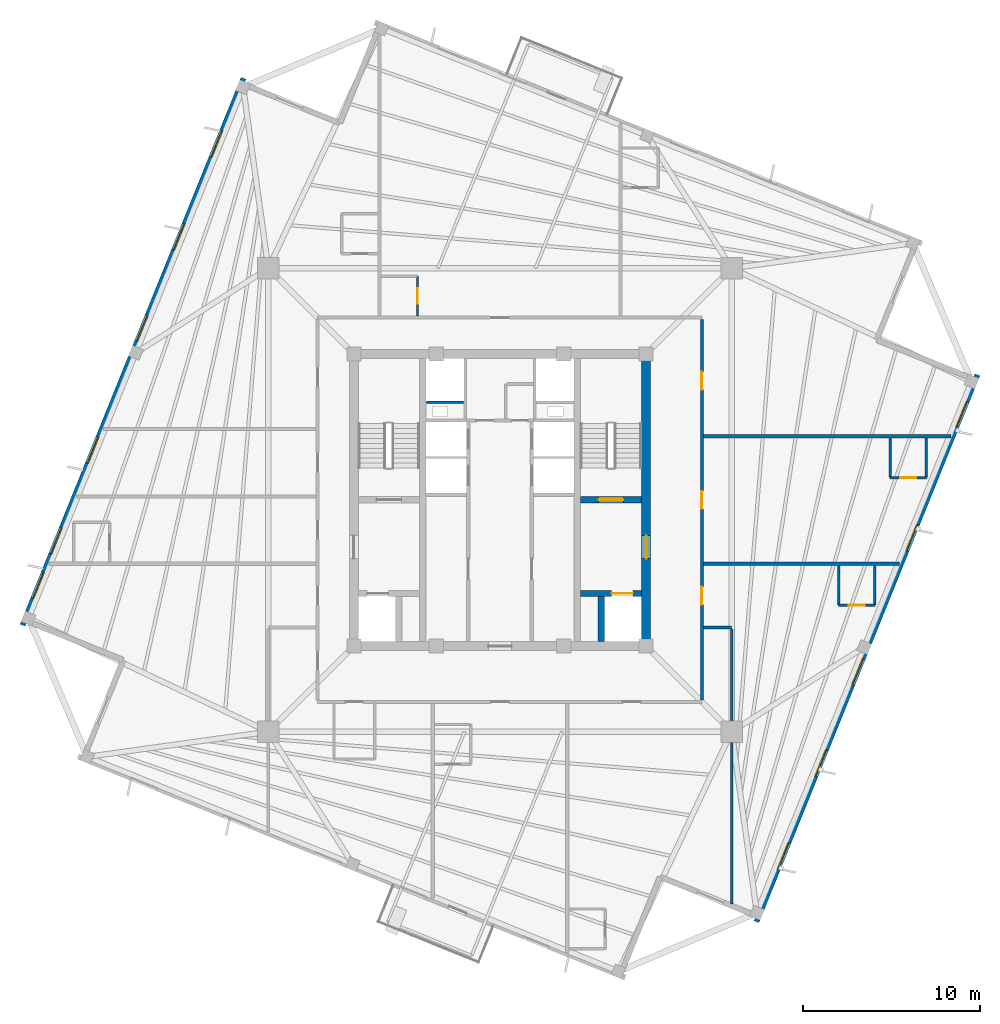
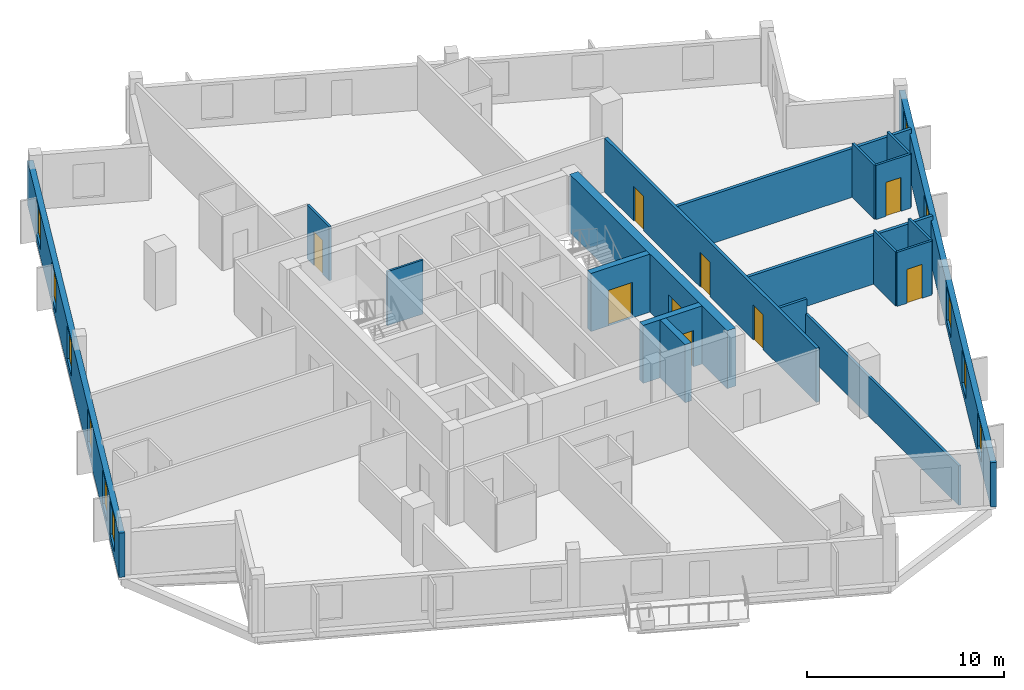
# One storey, part 4 of 8: 19 walls, 11 windows, 9 doors, 20 openings.
"""IFC4 building model written with IfcOpenShell, lengths in metres."""

from ifc_helpers import new_model, si_unit, direction, frame, frame_2d, origin, place, context, subcontext, project, spatial, rectangle, extrude, source, transform, mapped, material, layer, layer_set, type_object, element, fill, save


model = new_model("IFC4")

# Units and contexts
model_context = context("Model", 3, precision=1e-05, world=origin(), true_north=direction((0.0, 1.0)))
body_context = subcontext(model_context, "Body", "Model", "MODEL_VIEW")
ifc_project = project(units=[si_unit("LENGTHUNIT", "METRE"), si_unit("AREAUNIT", "SQUARE_METRE"), si_unit("VOLUMEUNIT", "CUBIC_METRE"), si_unit("PLANEANGLEUNIT", "RADIAN"), si_unit("MASSUNIT", "GRAM", prefix="KILO"), si_unit("THERMODYNAMICTEMPERATUREUNIT", "KELVIN")], contexts=[model_context])

# Site, building, storey
site_placement = place(None, origin())
site = spatial("IfcSite", under=ifc_project, at=site_placement, CompositionType="ELEMENT")
building_placement = place(site_placement, origin())
building = spatial("IfcBuilding", under=site, at=building_placement, Name="Kosmvard Interchange Tower", CompositionType="ELEMENT")
storey_placement = place(building_placement, frame((0.0, 0.0, 265.199951171875)))
storey = spatial("IfcBuildingStorey", under=building, at=storey_placement, Name="L64", CompositionType="ELEMENT", Elevation=265.199951171875)

# Walls
ifc_material_1 = material(Name="Acoustic gypsum partition system")
ifc_layer_1 = layer(ifc_material_1, 0.14990234375, Name="Acoustic gypsum partition system")
ifc_layer_set_1 = layer_set([ifc_layer_1], Name="Acoustic gypsum partition system")
wall_type_1 = type_object("IfcWallType", Name="Acoustic Suite & Meeting Partition 150", PredefinedType="PARTITIONING", material=ifc_layer_set_1)
wall_1_placement = place(storey_placement, frame((11.4951171875, -7.199951171875, 0.0), z_axis=(0.0, 0.0, 1.0), x_axis=(1.0, 0.0, 0.0)))
element("IfcWall", 1, at=wall_1_placement, inside=storey, type_object=wall_type_1, Name="L64 Room Partition 10.1", PredefinedType="PARTITIONING", context=body_context, shape_type="SweptSolid", body=[
    extrude(rectangle(XDim=1.5859375, YDim=0.14990234375, at=frame_2d((0.79296875, 0.0))), origin(), (0.0, 0.0, 1.0), 3.35009765625),
])
wall_2_placement = place(storey_placement, frame((13.0810546875, -7.27490234375, 0.0), z_axis=(0.0, 0.0, 1.0), x_axis=(0.0, -1.0, 0.0)))
element("IfcWall", 2, at=wall_2_placement, inside=storey, type_object=wall_type_1, Name="L64 Room Partition 11.1", PredefinedType="PARTITIONING", context=body_context, shape_type="SweptSolid", body=[
    extrude(rectangle(XDim=15.541748046875, YDim=0.14990234375, at=frame_2d((7.77099609375, 0.0))), origin(), (0.0, 0.0, 1.0), 2.449951171875),
])

# Wall, openings, doors
ifc_material_2 = material(Name="Fire-rated gypsum partition system")
ifc_layer_2 = layer(ifc_material_2, 0.179931640625, Name="Fire-rated gypsum partition system")
ifc_layer_set_2 = layer_set([ifc_layer_2], Name="Fire-rated gypsum partition system")
wall_type_2 = type_object("IfcWallType", Name="Corridor & Hotel Compartment Partition 180", PredefinedType="PARTITIONING", material=ifc_layer_set_2)
wall_3_placement = place(storey_placement, frame((11.39990234375, -11.300048828125, 0.0), z_axis=(0.0, 0.0, 1.0), x_axis=(0.0, 1.0, 0.0)))
wall_3 = element("IfcWall", 3, at=wall_3_placement, inside=storey, type_object=wall_type_2, Name="L64 Corridor Wall CE", PredefinedType="PARTITIONING", context=body_context, shape_type="SweptSolid", body=[
    extrude(rectangle(XDim=21.5, YDim=0.179931640625, at=frame_2d((10.75, 0.0))), origin(), (0.0, 0.0, 1.0), 3.35009765625),
])
opening_1_placement = place(wall_3_placement, frame((17.53564453125, 0.0, 0.0)))
opening_1 = element("IfcOpeningElement", 4, at=opening_1_placement, cuts=wall_3, Name="Opening L64-D07", PredefinedType="OPENING", context=body_context, shape_type="SweptSolid", body=[
    extrude(rectangle(XDim=1.0, YDim=2.14990234375, at=frame_2d((0.5, 1.074951171875))), frame((0.0, 0.10009765625, 0.0), z_axis=(0.0, -1.0, 0.0), x_axis=(1.0, 0.0, 0.0)), (0.0, 0.0, 1.0), 0.199951171875),
])
opening_2_placement = place(wall_3_placement, frame((10.800048828125, 0.0, 0.0)))
opening_2 = element("IfcOpeningElement", 5, at=opening_2_placement, cuts=wall_3, Name="Opening L64-D09", PredefinedType="OPENING", context=body_context, shape_type="SweptSolid", body=[
    extrude(rectangle(XDim=1.0, YDim=2.14990234375, at=frame_2d((0.5, 1.074951171875))), frame((0.0, 0.10009765625, 0.0), z_axis=(0.0, -1.0, 0.0), x_axis=(1.0, 0.0, 0.0)), (0.0, 0.0, 1.0), 0.199951171875),
])
opening_3_placement = place(wall_3_placement, frame((5.39990234375, 0.0, 0.0)))
opening_3 = element("IfcOpeningElement", 6, at=opening_3_placement, cuts=wall_3, Name="Opening L64-D11", PredefinedType="OPENING", context=body_context, shape_type="SweptSolid", body=[
    extrude(rectangle(XDim=1.0, YDim=2.14990234375, at=frame_2d((0.5, 1.074951171875))), frame((0.0, 0.10009765625, 0.0), z_axis=(0.0, -1.0, 0.0), x_axis=(1.0, 0.0, 0.0)), (0.0, 0.0, 1.0), 0.199951171875),
])
ifc_material_3 = material(Name="Engineered oak fire-rated timber", Category="wood")
door_type_1 = type_object("IfcDoorType", Name="Hotel Guestroom Entrance Door 1000x2150 EI60", OperationType="NOTDEFINED", PredefinedType="DOOR", material=ifc_material_3)
shared_shape_1 = source(origin(), body_context, "Body", "SweptSolid", [
    extrude(rectangle(XDim=1.0, YDim=2.14990234375, at=frame_2d((0.5, 1.074951171875))), frame((0.0, 0.02490234375, 0.0), z_axis=(0.0, -1.0, 0.0), x_axis=(1.0, 0.0, 0.0)), (0.0, 0.0, 1.0), 0.050048828125),
])
door_1_placement = place(opening_1_placement, frame((1.0, 0.0, 0.0), z_axis=(0.0, 0.0, 1.0), x_axis=(-1.0, 0.0, 0.0)))
door_1 = element("IfcDoor", 7, at=door_1_placement, inside=storey, type_object=door_type_1, Name="L64 Hotel Queen Junior Suite 2 Door", OperationType="SINGLE_SWING_LEFT", OverallHeight=2.14990234375, OverallWidth=1.0, PredefinedType="DOOR", context=body_context, shape_type="MappedRepresentation", body=[
    mapped(shared_shape_1, transform((0.0, 0.0, 0.0), scale=1.0)),
])
fill(opening_1, door_1)
door_2_placement = place(opening_2_placement, frame((1.0, 0.0, 0.0), z_axis=(0.0, 0.0, 1.0), x_axis=(-1.0, 0.0, 0.0)))
door_2 = element("IfcDoor", 8, at=door_2_placement, inside=storey, type_object=door_type_1, Name="L64 Hotel South-East Corner Suite 2 Door", OperationType="SINGLE_SWING_LEFT", OverallHeight=2.14990234375, OverallWidth=1.0, PredefinedType="DOOR", context=body_context, shape_type="MappedRepresentation", body=[
    mapped(shared_shape_1, transform((0.0, 0.0, 0.0), scale=1.0)),
])
fill(opening_2, door_2)
door_3_placement = place(opening_3_placement, frame((1.0, 0.0, 0.0), z_axis=(0.0, 0.0, 1.0), x_axis=(-1.0, 0.0, 0.0)))
door_3 = element("IfcDoor", 9, at=door_3_placement, inside=storey, type_object=door_type_1, Name="L64 Hotel Superior Junior Suite 3 Door", OperationType="SINGLE_SWING_LEFT", OverallHeight=2.14990234375, OverallWidth=1.0, PredefinedType="DOOR", context=body_context, shape_type="MappedRepresentation", body=[
    mapped(shared_shape_1, transform((0.0, 0.0, 0.0), scale=1.0)),
])
fill(opening_3, door_3)

# Walls
wall_4_placement = place(storey_placement, frame((11.4951171875, 3.60009765625, 0.0), z_axis=(0.0, 0.0, 1.0), x_axis=(1.0, 0.0, 0.0)))
element("IfcWall", 10, at=wall_4_placement, inside=storey, type_object=wall_type_2, Name="L64 Room Partition 03.1", PredefinedType="PARTITIONING", context=body_context, shape_type="SweptSolid", body=[
    extrude(rectangle(XDim=13.962158203125, YDim=0.179931640625, at=frame_2d((6.98095703125, 0.0))), origin(), (0.0, 0.0, 1.0), 3.02001953125),
])
wall_5_placement = place(storey_placement, frame((11.4951171875, -3.60009765625, 0.0), z_axis=(0.0, 0.0, 1.0), x_axis=(1.0, 0.0, 0.0)))
element("IfcWall", 11, at=wall_5_placement, inside=storey, type_object=wall_type_2, Name="L64 Room Partition 04.1", PredefinedType="PARTITIONING", context=body_context, shape_type="SweptSolid", body=[
    extrude(rectangle(XDim=11.05322265625, YDim=0.179931640625, at=frame_2d((5.526611328125, 0.0))), origin(), (0.0, 0.0, 1.0), 3.02001953125),
])
ifc_material_4 = material(Name="Fire-rated gypsum shaftwall system")
ifc_layer_3 = layer(ifc_material_4, 0.1201171875, Name="Fire-rated gypsum shaftwall system")
ifc_layer_set_3 = layer_set([ifc_layer_3], Name="Fire-rated gypsum shaftwall system")
wall_type_3 = type_object("IfcWallType", Name="Shaft & Riser Fire Partition 120 EI60", PredefinedType="PARTITIONING", material=ifc_layer_set_3)
wall_6_placement = place(storey_placement, frame((-4.159912109375, 5.52001953125, 0.0), z_axis=(0.0, 0.0, 1.0), x_axis=(1.0, 0.0, 0.0)))
element("IfcWall", 12, at=wall_6_placement, inside=storey, type_object=wall_type_3, Name="L64 Riser Shaft Divider W", PredefinedType="PARTITIONING", context=body_context, shape_type="SweptSolid", body=[
    extrude(rectangle(XDim=2.099853515625, YDim=0.1201171875, at=frame_2d((1.0498046875, 0.0))), origin(), (0.0, 0.0, 1.0), 3.35009765625),
])

# Wall, opening, door
ifc_material_5 = material(Name="Concrete C60/75", Category="concrete")
ifc_layer_4 = layer(ifc_material_5, 0.360107421875, Name="Concrete C60/75")
ifc_layer_set_4 = layer_set([ifc_layer_4], Name="Concrete C60/75")
wall_type_4 = type_object("IfcWallType", Name="Stair & Lift Shaft Shear Wall 360 C60/75", PredefinedType="SHEAR", material=ifc_layer_set_4)
wall_7_placement = place(storey_placement, frame((4.5400390625, 0.02001953125, 0.0), z_axis=(0.0, 0.0, 1.0), x_axis=(1.0, 0.0, 0.0)))
wall_7 = element("IfcWall", 13, at=wall_7_placement, inside=storey, type_object=wall_type_4, Name="L64 Shaft Shear Wall SW-ST2", PredefinedType="SHEAR", context=body_context, shape_type="SweptSolid", body=[
    extrude(rectangle(XDim=3.4599609375, YDim=0.360107421875, at=frame_2d((1.72998046875, 0.0))), origin(), (0.0, 0.0, 1.0), 3.60009765625),
])
opening_4_placement = place(wall_7_placement, frame((1.030029296875, 0.0, 0.0)))
opening_4 = element("IfcOpeningElement", 14, at=opening_4_placement, cuts=wall_7, Name="Opening L64-SD2", PredefinedType="OPENING", context=body_context, shape_type="SweptSolid", body=[
    extrude(rectangle(XDim=1.39990234375, YDim=2.199951171875, at=frame_2d((0.699951171875, 1.10009765625))), frame((0.0, 0.18994140625, 0.0), z_axis=(0.0, -1.0, 0.0), x_axis=(1.0, 0.0, 0.0)), (0.0, 0.0, 1.0), 0.380126953125),
])
ifc_material_6 = material(Name="Painted fire-rated steel leaf", Category="steel")
door_type_2 = type_object("IfcDoorType", Name="Protected Stair Door 1400x2200 FD60S", OperationType="NOTDEFINED", PredefinedType="DOOR", material=ifc_material_6)
shared_shape_2 = source(origin(), body_context, "Body", "SweptSolid", [
    extrude(rectangle(XDim=1.39990234375, YDim=2.199951171875, at=frame_2d((0.699951171875, 1.10009765625))), frame((0.0, 0.02490234375, 0.0), z_axis=(0.0, -1.0, 0.0), x_axis=(1.0, 0.0, 0.0)), (0.0, 0.0, 1.0), 0.050048828125),
])
door_4_placement = place(opening_4_placement, origin())
door_4 = element("IfcDoor", 15, at=door_4_placement, inside=storey, type_object=door_type_2, Name="L64 Stair ST-2 Enclosure Door", OperationType="SINGLE_SWING_RIGHT", OverallHeight=2.199951171875, OverallWidth=1.39990234375, PredefinedType="DOOR", context=body_context, shape_type="MappedRepresentation", body=[
    mapped(shared_shape_2, transform((0.0, 0.0, 0.0), scale=1.0)),
])
fill(opening_4, door_4)

wall_8_placement = place(storey_placement, frame((4.5400390625, -5.280029296875, 0.0), z_axis=(0.0, 0.0, 1.0), x_axis=(1.0, 0.0, 0.0)))
wall_8 = element("IfcWall", 16, at=wall_8_placement, inside=storey, type_object=wall_type_4, Name="L64 Shaft Shear Wall SW-FF2", PredefinedType="SHEAR", context=body_context, shape_type="SweptSolid", body=[
    extrude(rectangle(XDim=3.4599609375, YDim=0.360107421875, at=frame_2d((1.72998046875, 0.0))), origin(), (0.0, 0.0, 1.0), 3.60009765625),
])
opening_5_placement = place(wall_8_placement, frame((1.760009765625, 0.0, 0.0)))
opening_5 = element("IfcOpeningElement", 17, at=opening_5_placement, cuts=wall_8, Name="Opening LD-FF-2-L64", PredefinedType="OPENING", context=body_context, shape_type="SweptSolid", body=[
    extrude(rectangle(XDim=1.199951171875, YDim=2.25, at=frame_2d((0.60009765625, 1.125))), frame((0.0, 0.18994140625, 0.0), z_axis=(0.0, -1.0, 0.0), x_axis=(1.0, 0.0, 0.0)), (0.0, 0.0, 1.0), 0.380126953125),
])
ifc_material_7 = material(Name="Brushed stainless steel sliding leaf", Category="steel")
door_type_3 = type_object("IfcDoorType", Name="Firefighting Lift Sliding Landing Door 1200x2250 EI120", OperationType="DOUBLE_DOOR_SLIDING", PredefinedType="DOOR", material=ifc_material_7)
shared_shape_3 = source(origin(), body_context, "Body", "SweptSolid", [
    extrude(rectangle(XDim=1.199951171875, YDim=2.25, at=frame_2d((0.60009765625, 1.125))), frame((0.0, 0.02490234375, 0.0), z_axis=(0.0, -1.0, 0.0), x_axis=(1.0, 0.0, 0.0)), (0.0, 0.0, 1.0), 0.050048828125),
])
door_5_placement = place(opening_5_placement, origin())
door_5 = element("IfcDoor", 18, at=door_5_placement, inside=storey, type_object=door_type_3, Name="Lift FF-2 Landing Door L64", OperationType="DOUBLE_DOOR_SLIDING", OverallHeight=2.25, OverallWidth=1.199951171875, PredefinedType="DOOR", context=body_context, shape_type="MappedRepresentation", body=[
    mapped(shared_shape_3, transform((0.0, 0.0, 0.0), scale=1.0)),
])
fill(opening_5, door_5)

# Wall
wall_9_placement = place(storey_placement, frame((5.7099609375, -8.0, 0.0), z_axis=(0.0, 0.0, 1.0), x_axis=(0.0, 1.0, 0.0)))
element("IfcWall", 19, at=wall_9_placement, inside=storey, type_object=wall_type_4, Name="L64 Shaft Shear Wall SW-SM2", PredefinedType="SHEAR", context=body_context, shape_type="SweptSolid", body=[
    extrude(rectangle(XDim=2.5400390625, YDim=0.360107421875, at=frame_2d((1.27001953125, 0.0))), origin(), (0.0, 0.0, 1.0), 3.60009765625),
])

# Wall, opening, door
ifc_layer_5 = layer(ifc_material_5, 0.5, Name="Concrete C60/75")
ifc_layer_set_5 = layer_set([ifc_layer_5], Name="Concrete C60/75")
wall_type_5 = type_object("IfcWallType", Name="Upper Core Shear Wall 500 C60/75", PredefinedType="SHEAR", material=ifc_layer_set_5)
wall_10_placement = place(storey_placement, frame((8.25, -8.0, 0.0), z_axis=(0.0, 0.0, 1.0), x_axis=(0.0, 1.0, 0.0)))
wall_10 = element("IfcWall", 20, at=wall_10_placement, inside=storey, type_object=wall_type_5, Name="L64 Core Shear Wall CW-E", PredefinedType="SHEAR", context=body_context, shape_type="SweptSolid", body=[
    extrude(rectangle(XDim=16.0, YDim=0.5, at=frame_2d((8.0, 0.0))), origin(), (0.0, 0.0, 1.0), 3.60009765625),
])
opening_6_placement = place(wall_10_placement, frame((4.68994140625, 0.0, 0.0)))
opening_6 = element("IfcOpeningElement", 21, at=opening_6_placement, cuts=wall_10, Name="Opening L64-FD2", PredefinedType="OPENING", context=body_context, shape_type="SweptSolid", body=[
    extrude(rectangle(XDim=1.300048828125, YDim=2.199951171875, at=frame_2d((0.64990234375, 1.10009765625))), frame((0.0, 0.260009765625, 0.0), z_axis=(0.0, -1.0, 0.0), x_axis=(1.0, 0.0, 0.0)), (0.0, 0.0, 1.0), 0.52001953125),
])
door_type_4 = type_object("IfcDoorType", Name="Firefighting Lobby Door 1300x2200 EI60", OperationType="NOTDEFINED", PredefinedType="DOOR", material=ifc_material_6)
shared_shape_4 = source(origin(), body_context, "Body", "SweptSolid", [
    extrude(rectangle(XDim=1.300048828125, YDim=2.199951171875, at=frame_2d((0.64990234375, 1.10009765625))), frame((0.0, 0.02490234375, 0.0), z_axis=(0.0, -1.0, 0.0), x_axis=(1.0, 0.0, 0.0)), (0.0, 0.0, 1.0), 0.050048828125),
])
door_6_placement = place(opening_6_placement, origin())
door_6 = element("IfcDoor", 22, at=door_6_placement, inside=storey, type_object=door_type_4, Name="L64 Firefighting Lobby East Door", OperationType="SINGLE_SWING_RIGHT", OverallHeight=2.199951171875, OverallWidth=1.300048828125, PredefinedType="DOOR", context=body_context, shape_type="MappedRepresentation", body=[
    mapped(shared_shape_4, transform((0.0, 0.0, 0.0), scale=1.0)),
])
fill(opening_6, door_6)

# Wall, openings, windows
ifc_material_8 = material(Name="Precast concrete C45/55", Category="concrete")
ifc_layer_6 = layer(ifc_material_8, 0.31005859375, Name="Precast concrete C45/55")
ifc_layer_set_6 = layer_set([ifc_layer_6], Name="Precast concrete C45/55")
wall_type_6 = type_object("IfcWallType", Name="Upper Tower Precast Pier Wall 310 C45/55", PredefinedType="STANDARD", material=ifc_layer_set_6)
wall_11_placement = place(storey_placement, frame((14.478759765625, -23.812744140625, 0.0), z_axis=(0.0, 0.0, 1.0), x_axis=(0.374609557019, 0.927182657188, 0.0)))
wall_11 = element("IfcWall", 23, at=wall_11_placement, inside=storey, type_object=wall_type_6, Name="L64 Precast Facade Wall F-S", PredefinedType="STANDARD", context=body_context, shape_type="SweptSolid", body=[
    extrude(rectangle(XDim=33.31005859375, YDim=0.31005859375, at=frame_2d((16.655029296875, 0.0))), origin(), (0.0, 0.0, 1.0), 2.75),
])
opening_7_placement = place(wall_11_placement, frame((3.197265625, 0.0, 0.469970703125)))
opening_7 = element("IfcOpeningElement", 24, at=opening_7_placement, cuts=wall_11, Name="Opening L64-W01", PredefinedType="OPENING", context=body_context, shape_type="SweptSolid", body=[
    extrude(rectangle(XDim=1.60009765625, YDim=2.10009765625, at=frame_2d((0.800048828125, 1.050048828125))), frame((0.0, 0.1650390625, 0.0), z_axis=(0.0, -1.0, 0.0), x_axis=(1.0, 0.0, 0.0)), (0.0, 0.0, 1.0), 0.330078125),
])
opening_8_placement = place(wall_11_placement, frame((8.85986328125, 0.0, 0.469970703125)))
opening_8 = element("IfcOpeningElement", 25, at=opening_8_placement, cuts=wall_11, Name="Opening L64-W02", PredefinedType="OPENING", context=body_context, shape_type="SweptSolid", body=[
    extrude(rectangle(XDim=1.60009765625, YDim=2.10009765625, at=frame_2d((0.800048828125, 1.050048828125))), frame((0.0, 0.1650390625, 0.0), z_axis=(0.0, -1.0, 0.0), x_axis=(1.0, 0.0, 0.0)), (0.0, 0.0, 1.0), 0.330078125),
])
opening_9_placement = place(wall_11_placement, frame((14.438720703125, 0.0, 0.469970703125)))
opening_9 = element("IfcOpeningElement", 26, at=opening_9_placement, cuts=wall_11, Name="Opening L64-W03", PredefinedType="OPENING", context=body_context, shape_type="SweptSolid", body=[
    extrude(rectangle(XDim=1.60009765625, YDim=2.10009765625, at=frame_2d((0.800048828125, 1.050048828125))), frame((0.0, 0.1650390625, 0.0), z_axis=(0.0, -1.0, 0.0), x_axis=(1.0, 0.0, 0.0)), (0.0, 0.0, 1.0), 0.330078125),
])
opening_10_placement = place(wall_11_placement, frame((22.600830078125, 0.0, 0.469970703125)))
opening_10 = element("IfcOpeningElement", 27, at=opening_10_placement, cuts=wall_11, Name="Opening L64-W04", PredefinedType="OPENING", context=body_context, shape_type="SweptSolid", body=[
    extrude(rectangle(XDim=1.60009765625, YDim=2.10009765625, at=frame_2d((0.800048828125, 1.050048828125))), frame((0.0, 0.1650390625, 0.0), z_axis=(0.0, -1.0, 0.0), x_axis=(1.0, 0.0, 0.0)), (0.0, 0.0, 1.0), 0.330078125),
])
opening_11_placement = place(wall_11_placement, frame((30.0966796875, 0.0, 0.469970703125)))
opening_11 = element("IfcOpeningElement", 28, at=opening_11_placement, cuts=wall_11, Name="Opening L64-W05", PredefinedType="OPENING", context=body_context, shape_type="SweptSolid", body=[
    extrude(rectangle(XDim=1.60009765625, YDim=2.10009765625, at=frame_2d((0.800048828125, 1.050048828125))), frame((0.0, 0.1650390625, 0.0), z_axis=(0.0, -1.0, 0.0), x_axis=(1.0, 0.0, 0.0)), (0.0, 0.0, 1.0), 0.330078125),
])
ifc_material_9 = material(Name="Low-E acoustic double glazing", Category="glass")
window_type = type_object("IfcWindowType", Name="Zone 5 Hotel Punched Window 1600x2100", PartitioningType="SINGLE_PANEL", PredefinedType="WINDOW", material=ifc_material_9)
shared_shape_5 = source(origin(), body_context, "Body", "SweptSolid", [
    extrude(rectangle(XDim=1.60009765625, YDim=2.10009765625, at=frame_2d((0.800048828125, 1.050048828125))), frame((0.0, 0.030029296875, 0.0), z_axis=(0.0, -1.0, 0.0), x_axis=(1.0, 0.0, 0.0)), (0.0, 0.0, 1.0), 0.06005859375),
])
window_1_placement = place(opening_7_placement, origin())
window_1 = element("IfcWindow", 29, at=window_1_placement, inside=storey, type_object=window_type, Name="L64 Facade Punched Window 01", OverallHeight=2.10009765625, OverallWidth=1.60009765625, PartitioningType="SINGLE_PANEL", PredefinedType="WINDOW", context=body_context, shape_type="MappedRepresentation", body=[
    mapped(shared_shape_5, transform((0.0, 0.0, 0.0), scale=1.0)),
])
fill(opening_7, window_1)
window_2_placement = place(opening_8_placement, origin())
window_2 = element("IfcWindow", 30, at=window_2_placement, inside=storey, type_object=window_type, Name="L64 Facade Punched Window 02", OverallHeight=2.10009765625, OverallWidth=1.60009765625, PartitioningType="SINGLE_PANEL", PredefinedType="WINDOW", context=body_context, shape_type="MappedRepresentation", body=[
    mapped(shared_shape_5, transform((0.0, 0.0, 0.0), scale=1.0)),
])
fill(opening_8, window_2)
window_3_placement = place(opening_9_placement, origin())
window_3 = element("IfcWindow", 31, at=window_3_placement, inside=storey, type_object=window_type, Name="L64 Facade Punched Window 03", OverallHeight=2.10009765625, OverallWidth=1.60009765625, PartitioningType="SINGLE_PANEL", PredefinedType="WINDOW", context=body_context, shape_type="MappedRepresentation", body=[
    mapped(shared_shape_5, transform((0.0, 0.0, 0.0), scale=1.0)),
])
fill(opening_9, window_3)
window_4_placement = place(opening_10_placement, origin())
window_4 = element("IfcWindow", 32, at=window_4_placement, inside=storey, type_object=window_type, Name="L64 Facade Punched Window 04", OverallHeight=2.10009765625, OverallWidth=1.60009765625, PartitioningType="SINGLE_PANEL", PredefinedType="WINDOW", context=body_context, shape_type="MappedRepresentation", body=[
    mapped(shared_shape_5, transform((0.0, 0.0, 0.0), scale=1.0)),
])
fill(opening_10, window_4)
window_5_placement = place(opening_11_placement, origin())
window_5 = element("IfcWindow", 33, at=window_5_placement, inside=storey, type_object=window_type, Name="L64 Facade Punched Window 05", OverallHeight=2.10009765625, OverallWidth=1.60009765625, PartitioningType="SINGLE_PANEL", PredefinedType="WINDOW", context=body_context, shape_type="MappedRepresentation", body=[
    mapped(shared_shape_5, transform((0.0, 0.0, 0.0), scale=1.0)),
])
fill(opening_11, window_5)

wall_12_placement = place(storey_placement, frame((-14.478759765625, 23.812744140625, 0.0), z_axis=(0.0, 0.0, 1.0), x_axis=(-0.374609557019, -0.927182657188, 0.0)))
wall_12 = element("IfcWall", 34, at=wall_12_placement, inside=storey, type_object=wall_type_6, Name="L64 Precast Facade Wall F-N", PredefinedType="STANDARD", context=body_context, shape_type="SweptSolid", body=[
    extrude(rectangle(XDim=33.31005859375, YDim=0.31005859375, at=frame_2d((16.655029296875, 0.0))), origin(), (0.0, 0.0, 1.0), 2.75),
])
opening_12_placement = place(wall_12_placement, frame((3.197265625, 0.0, 0.469970703125)))
opening_12 = element("IfcOpeningElement", 35, at=opening_12_placement, cuts=wall_12, Name="Opening L64-W11", PredefinedType="OPENING", context=body_context, shape_type="SweptSolid", body=[
    extrude(rectangle(XDim=1.60009765625, YDim=2.10009765625, at=frame_2d((0.800048828125, 1.050048828125))), frame((0.0, 0.1650390625, 0.0), z_axis=(0.0, -1.0, 0.0), x_axis=(1.0, 0.0, 0.0)), (0.0, 0.0, 1.0), 0.330078125),
])
opening_13_placement = place(wall_12_placement, frame((8.85986328125, 0.0, 0.469970703125)))
opening_13 = element("IfcOpeningElement", 36, at=opening_13_placement, cuts=wall_12, Name="Opening L64-W12", PredefinedType="OPENING", context=body_context, shape_type="SweptSolid", body=[
    extrude(rectangle(XDim=1.60009765625, YDim=2.10009765625, at=frame_2d((0.800048828125, 1.050048828125))), frame((0.0, 0.1650390625, 0.0), z_axis=(0.0, -1.0, 0.0), x_axis=(1.0, 0.0, 0.0)), (0.0, 0.0, 1.0), 0.330078125),
])
opening_14_placement = place(wall_12_placement, frame((14.438720703125, 0.0, 0.469970703125)))
opening_14 = element("IfcOpeningElement", 37, at=opening_14_placement, cuts=wall_12, Name="Opening L64-W13", PredefinedType="OPENING", context=body_context, shape_type="SweptSolid", body=[
    extrude(rectangle(XDim=1.60009765625, YDim=2.10009765625, at=frame_2d((0.800048828125, 1.050048828125))), frame((0.0, 0.1650390625, 0.0), z_axis=(0.0, -1.0, 0.0), x_axis=(1.0, 0.0, 0.0)), (0.0, 0.0, 1.0), 0.330078125),
])
opening_15_placement = place(wall_12_placement, frame((21.850830078125, 0.0, 0.469970703125)))
opening_15 = element("IfcOpeningElement", 38, at=opening_15_placement, cuts=wall_12, Name="Opening L64-W14", PredefinedType="OPENING", context=body_context, shape_type="SweptSolid", body=[
    extrude(rectangle(XDim=1.60009765625, YDim=2.10009765625, at=frame_2d((0.800048828125, 1.050048828125))), frame((0.0, 0.1650390625, 0.0), z_axis=(0.0, -1.0, 0.0), x_axis=(1.0, 0.0, 0.0)), (0.0, 0.0, 1.0), 0.330078125),
])
opening_16_placement = place(wall_12_placement, frame((30.0966796875, 0.0, 0.469970703125)))
opening_16 = element("IfcOpeningElement", 39, at=opening_16_placement, cuts=wall_12, Name="Opening L64-W15", PredefinedType="OPENING", context=body_context, shape_type="SweptSolid", body=[
    extrude(rectangle(XDim=1.60009765625, YDim=2.10009765625, at=frame_2d((0.800048828125, 1.050048828125))), frame((0.0, 0.1650390625, 0.0), z_axis=(0.0, -1.0, 0.0), x_axis=(1.0, 0.0, 0.0)), (0.0, 0.0, 1.0), 0.330078125),
])
opening_17_placement = place(wall_12_placement, frame((27.374267578125, 0.0, 0.469970703125)))
opening_17 = element("IfcOpeningElement", 40, at=opening_17_placement, cuts=wall_12, Name="Opening L64-DW25", PredefinedType="OPENING", context=body_context, shape_type="SweptSolid", body=[
    extrude(rectangle(XDim=1.60009765625, YDim=2.10009765625, at=frame_2d((0.800048828125, 1.050048828125))), frame((0.0, 0.1650390625, 0.0), z_axis=(0.0, -1.0, 0.0), x_axis=(1.0, 0.0, 0.0)), (0.0, 0.0, 1.0), 0.330078125),
])
window_6_placement = place(opening_12_placement, origin())
window_6 = element("IfcWindow", 41, at=window_6_placement, inside=storey, type_object=window_type, Name="L64 Facade Punched Window 11", OverallHeight=2.10009765625, OverallWidth=1.60009765625, PartitioningType="SINGLE_PANEL", PredefinedType="WINDOW", context=body_context, shape_type="MappedRepresentation", body=[
    mapped(shared_shape_5, transform((0.0, 0.0, 0.0), scale=1.0)),
])
fill(opening_12, window_6)
window_7_placement = place(opening_13_placement, origin())
window_7 = element("IfcWindow", 42, at=window_7_placement, inside=storey, type_object=window_type, Name="L64 Facade Punched Window 12", OverallHeight=2.10009765625, OverallWidth=1.60009765625, PartitioningType="SINGLE_PANEL", PredefinedType="WINDOW", context=body_context, shape_type="MappedRepresentation", body=[
    mapped(shared_shape_5, transform((0.0, 0.0, 0.0), scale=1.0)),
])
fill(opening_13, window_7)
window_8_placement = place(opening_14_placement, origin())
window_8 = element("IfcWindow", 43, at=window_8_placement, inside=storey, type_object=window_type, Name="L64 Facade Punched Window 13", OverallHeight=2.10009765625, OverallWidth=1.60009765625, PartitioningType="SINGLE_PANEL", PredefinedType="WINDOW", context=body_context, shape_type="MappedRepresentation", body=[
    mapped(shared_shape_5, transform((0.0, 0.0, 0.0), scale=1.0)),
])
fill(opening_14, window_8)
window_9_placement = place(opening_15_placement, origin())
window_9 = element("IfcWindow", 44, at=window_9_placement, inside=storey, type_object=window_type, Name="L64 Facade Punched Window 14", OverallHeight=2.10009765625, OverallWidth=1.60009765625, PartitioningType="SINGLE_PANEL", PredefinedType="WINDOW", context=body_context, shape_type="MappedRepresentation", body=[
    mapped(shared_shape_5, transform((0.0, 0.0, 0.0), scale=1.0)),
])
fill(opening_15, window_9)
window_10_placement = place(opening_16_placement, origin())
window_10 = element("IfcWindow", 45, at=window_10_placement, inside=storey, type_object=window_type, Name="L64 Facade Punched Window 15", OverallHeight=2.10009765625, OverallWidth=1.60009765625, PartitioningType="SINGLE_PANEL", PredefinedType="WINDOW", context=body_context, shape_type="MappedRepresentation", body=[
    mapped(shared_shape_5, transform((0.0, 0.0, 0.0), scale=1.0)),
])
fill(opening_16, window_10)
window_11_placement = place(opening_17_placement, origin())
window_11 = element("IfcWindow", 46, at=window_11_placement, inside=storey, type_object=window_type, Name="L64 Guest Room Punched Window 25", OverallHeight=2.10009765625, OverallWidth=1.60009765625, PartitioningType="SINGLE_PANEL", PredefinedType="WINDOW", context=body_context, shape_type="MappedRepresentation", body=[
    mapped(shared_shape_5, transform((0.0, 0.0, 0.0), scale=1.0)),
])
fill(opening_17, window_11)

# Wall, opening, door
ifc_material_10 = material(Name="Moisture-resistant gypsum partition")
ifc_layer_7 = layer(ifc_material_10, 0.135009765625, Name="Moisture-resistant gypsum partition")
ifc_layer_set_7 = layer_set([ifc_layer_7], Name="Moisture-resistant gypsum partition")
wall_type_7 = type_object("IfcWallType", Name="Wet Room Moisture-Resistant Partition 135", PredefinedType="PARTITIONING", material=ifc_layer_set_7)
wall_13_placement = place(storey_placement, frame((-4.659912109375, 10.385009765625, 0.0), z_axis=(0.0, 0.0, 1.0), x_axis=(0.0, 1.0, 0.0)))
wall_13 = element("IfcWall", 47, at=wall_13_placement, inside=storey, type_object=wall_type_7, Name="L64 En-Suite Partition HGR1-E", PredefinedType="PARTITIONING", context=body_context, shape_type="SweptSolid", body=[
    extrude(rectangle(XDim=2.25, YDim=0.135009765625, at=frame_2d((1.125, 0.0))), origin(), (0.0, 0.0, 1.0), 3.35009765625),
])
opening_18_placement = place(wall_13_placement, frame((0.68505859375, 0.0, 0.0)))
opening_18 = element("IfcOpeningElement", 48, at=opening_18_placement, cuts=wall_13, Name="Opening L64-ED06", PredefinedType="OPENING", context=body_context, shape_type="SweptSolid", body=[
    extrude(rectangle(XDim=0.8798828125, YDim=2.10009765625, at=frame_2d((0.43994140625, 1.050048828125))), frame((0.0, 0.07763671875, 0.0), z_axis=(0.0, -1.0, 0.0), x_axis=(1.0, 0.0, 0.0)), (0.0, 0.0, 1.0), 0.155029296875),
])
ifc_material_11 = material(Name="Laminated moisture-resistant timber", Category="wood")
door_type_5 = type_object("IfcDoorType", Name="En-Suite & Washroom Door 880x2100", OperationType="NOTDEFINED", PredefinedType="DOOR", material=ifc_material_11)
shared_shape_6 = source(origin(), body_context, "Body", "SweptSolid", [
    extrude(rectangle(XDim=0.8798828125, YDim=2.10009765625, at=frame_2d((0.43994140625, 1.050048828125))), frame((0.0, 0.02490234375, 0.0), z_axis=(0.0, -1.0, 0.0), x_axis=(1.0, 0.0, 0.0)), (0.0, 0.0, 1.0), 0.050048828125),
])
door_7_placement = place(opening_18_placement, origin())
door_7 = element("IfcDoor", 49, at=door_7_placement, inside=storey, type_object=door_type_5, Name="L64 HGR1 En-Suite Door", OperationType="SINGLE_SWING_LEFT", OverallHeight=2.10009765625, OverallWidth=0.8798828125, PredefinedType="DOOR", context=body_context, shape_type="MappedRepresentation", body=[
    mapped(shared_shape_6, transform((0.0, 0.0, 0.0), scale=1.0)),
])
fill(opening_18, door_7)

wall_14_placement = place(storey_placement, frame((22.02392578125, 1.260009765625, 0.0), z_axis=(0.0, 0.0, 1.0), x_axis=(1.0, 0.0, 0.0)))
wall_14 = element("IfcWall", 50, at=wall_14_placement, inside=storey, type_object=wall_type_7, Name="L64 En-Suite Partition HCS2-S", PredefinedType="PARTITIONING", context=body_context, shape_type="SweptSolid", body=[
    extrude(rectangle(XDim=2.050048828125, YDim=0.135009765625, at=frame_2d((1.02490234375, 0.0))), origin(), (0.0, 0.0, 1.0), 3.35009765625),
])
opening_19_placement = place(wall_14_placement, frame((0.5849609375, 0.0, 0.0)))
opening_19 = element("IfcOpeningElement", 51, at=opening_19_placement, cuts=wall_14, Name="Opening L64-ED10", PredefinedType="OPENING", context=body_context, shape_type="SweptSolid", body=[
    extrude(rectangle(XDim=0.8798828125, YDim=2.10009765625, at=frame_2d((0.43994140625, 1.050048828125))), frame((0.0, 0.07763671875, 0.0), z_axis=(0.0, -1.0, 0.0), x_axis=(1.0, 0.0, 0.0)), (0.0, 0.0, 1.0), 0.155029296875),
])
door_8_placement = place(opening_19_placement, origin())
door_8 = element("IfcDoor", 52, at=door_8_placement, inside=storey, type_object=door_type_5, Name="L64 HCS2 En-Suite Door", OperationType="SINGLE_SWING_LEFT", OverallHeight=2.10009765625, OverallWidth=0.8798828125, PredefinedType="DOOR", context=body_context, shape_type="MappedRepresentation", body=[
    mapped(shared_shape_6, transform((0.0, 0.0, 0.0), scale=1.0)),
])
fill(opening_19, door_8)

# Walls
for number, where, z_axis, x_axis, name in (
    (53, (24.073974609375, 1.260009765625, 0.0), (0.0, 0.0, 1.0), (0.0, 1.0, 0.0), "L64 En-Suite Partition HCS2-E"),
    (54, (22.02392578125, 1.260009765625, 0.0), (0.0, 0.0, 1.0), (0.0, 1.0, 0.0), "L64 En-Suite Partition HCS2-W"),
):
    element("IfcWall", number, at=place(storey_placement, frame(where, z_axis=z_axis, x_axis=x_axis)), inside=storey, type_object=wall_type_7, Name=name, PredefinedType="PARTITIONING", context=body_context, shape_type="SweptSolid", body=[
        extrude(rectangle(XDim=2.25, YDim=0.135009765625, at=frame_2d((1.125, 0.0))), origin(), (0.0, 0.0, 1.0), 3.35009765625),
    ])

# Wall, opening, door
wall_15_placement = place(storey_placement, frame((19.114990234375, -5.93994140625, 0.0), z_axis=(0.0, 0.0, 1.0), x_axis=(1.0, 0.0, 0.0)))
wall_15 = element("IfcWall", 55, at=wall_15_placement, inside=storey, type_object=wall_type_7, Name="L64 En-Suite Partition HGR3-S", PredefinedType="PARTITIONING", context=body_context, shape_type="SweptSolid", body=[
    extrude(rectangle(XDim=2.050048828125, YDim=0.135009765625, at=frame_2d((1.02490234375, 0.0))), origin(), (0.0, 0.0, 1.0), 3.35009765625),
])
opening_20_placement = place(wall_15_placement, frame((0.5849609375, 0.0, 0.0)))
opening_20 = element("IfcOpeningElement", 56, at=opening_20_placement, cuts=wall_15, Name="Opening L64-ED12", PredefinedType="OPENING", context=body_context, shape_type="SweptSolid", body=[
    extrude(rectangle(XDim=0.8798828125, YDim=2.10009765625, at=frame_2d((0.43994140625, 1.050048828125))), frame((0.0, 0.07763671875, 0.0), z_axis=(0.0, -1.0, 0.0), x_axis=(1.0, 0.0, 0.0)), (0.0, 0.0, 1.0), 0.155029296875),
])
door_9_placement = place(opening_20_placement, origin())
door_9 = element("IfcDoor", 57, at=door_9_placement, inside=storey, type_object=door_type_5, Name="L64 HGR3 En-Suite Door", OperationType="SINGLE_SWING_LEFT", OverallHeight=2.10009765625, OverallWidth=0.8798828125, PredefinedType="DOOR", context=body_context, shape_type="MappedRepresentation", body=[
    mapped(shared_shape_6, transform((0.0, 0.0, 0.0), scale=1.0)),
])
fill(opening_20, door_9)

# Walls
for number, where, z_axis, x_axis, name in (
    (58, (21.1650390625, -5.93994140625, 0.0), (0.0, 0.0, 1.0), (0.0, 1.0, 0.0), "L64 En-Suite Partition HGR3-E"),
    (59, (19.114990234375, -5.93994140625, 0.0), (0.0, 0.0, 1.0), (0.0, 1.0, 0.0), "L64 En-Suite Partition HGR3-W"),
):
    element("IfcWall", number, at=place(storey_placement, frame(where, z_axis=z_axis, x_axis=x_axis)), inside=storey, type_object=wall_type_7, Name=name, PredefinedType="PARTITIONING", context=body_context, shape_type="SweptSolid", body=[
        extrude(rectangle(XDim=2.25, YDim=0.135009765625, at=frame_2d((1.125, 0.0))), origin(), (0.0, 0.0, 1.0), 3.35009765625),
    ])

save(model, "model.ifc")
